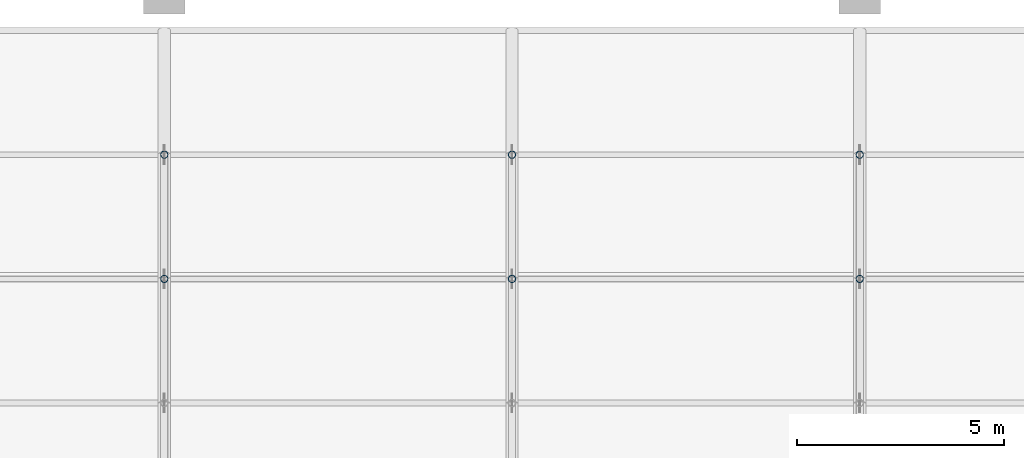
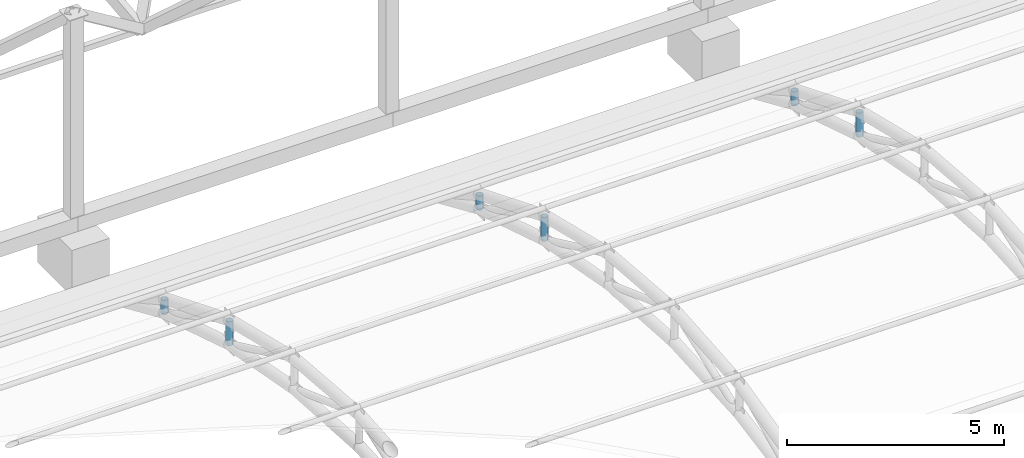
# One storey, part 70 of 163: 6 members.
"""IFC4 building model written with IfcOpenShell, lengths in metres."""

from ifc_helpers import new_model, si_unit, direction, frame, origin, origin_2d, place, context, subcontext, project, spatial, hollow_circle, extrude, material, material_profile, profile_set, type_object, element, save


model = new_model("IFC4")

# Units and contexts
model_context = context("Model", 3, precision=1e-05, world=origin(), true_north=direction((0.0, 1.0)))
body_context = subcontext(model_context, "Body", "Model", "MODEL_VIEW")
ifc_project = project(units=[si_unit("LENGTHUNIT", "METRE"), si_unit("AREAUNIT", "SQUARE_METRE"), si_unit("VOLUMEUNIT", "CUBIC_METRE"), si_unit("PLANEANGLEUNIT", "RADIAN"), si_unit("MASSUNIT", "GRAM", prefix="KILO")], contexts=[model_context])

# Site, building, storey
site_placement = place(None, origin())
site = spatial("IfcSite", under=ifc_project, at=site_placement, CompositionType="ELEMENT")
building_placement = place(site_placement, origin())
building = spatial("IfcBuilding", under=site, at=building_placement, Name="Rain Tree Exposition and Congress Centre", CompositionType="ELEMENT")
storey_placement = place(building_placement, frame((0.0, 0.0, 10.5)))
storey = spatial("IfcBuildingStorey", under=building, at=storey_placement, Name="L02", CompositionType="ELEMENT", Elevation=10.5)

# Members
ifc_material = material(Name="Steel S355J2H", Category="steel")
ifc_material_profile = material_profile(ifc_material, hollow_circle(Radius=0.090087890625, WallThickness=0.008056640625, at=origin_2d()), Name="CHS 180x8")
ifc_profile_set = profile_set([ifc_material_profile], Name="Steel S355J2H")
member_type = type_object("IfcMemberType", Name="Steel post member CHS 180x8", PredefinedType="POST", material=ifc_profile_set)
member_1_placement = place(storey_placement, frame((25.199951171875, 93.60009765625, 2.3798828125), z_axis=(0.0, 0.0, 1.0), x_axis=(1.0, 0.0, 0.0)))
element("IfcMember", 1, at=member_1_placement, inside=storey, type_object=member_type, Name="Roof truss 4 post 6", PredefinedType="POST", context=body_context, shape_type="SweptSolid", body=[
    extrude(hollow_circle(Radius=0.090087890625, WallThickness=0.008056640625, at=origin_2d()), origin(), (0.0, 0.0, 1.0), 0.675048828125),
])
member_2_placement = place(storey_placement, frame((25.199951171875, 96.60009765625, 1.4423828125), z_axis=(0.0, 0.0, 1.0), x_axis=(1.0, 0.0, 0.0)))
element("IfcMember", 2, at=member_2_placement, inside=storey, type_object=member_type, Name="Roof truss 4 post 7", PredefinedType="POST", context=body_context, shape_type="SweptSolid", body=[
    extrude(hollow_circle(Radius=0.090087890625, WallThickness=0.008056640625, at=origin_2d()), origin(), (0.0, 0.0, 1.0), 0.393798828125),
])
member_3_placement = place(storey_placement, frame((33.60009765625, 93.60009765625, 2.3798828125), z_axis=(0.0, 0.0, 1.0), x_axis=(1.0, 0.0, 0.0)))
element("IfcMember", 3, at=member_3_placement, inside=storey, type_object=member_type, Name="Roof truss 5 post 6", PredefinedType="POST", context=body_context, shape_type="SweptSolid", body=[
    extrude(hollow_circle(Radius=0.090087890625, WallThickness=0.008056640625, at=origin_2d()), origin(), (0.0, 0.0, 1.0), 0.675048828125),
])
member_4_placement = place(storey_placement, frame((33.60009765625, 96.60009765625, 1.4423828125), z_axis=(0.0, 0.0, 1.0), x_axis=(1.0, 0.0, 0.0)))
element("IfcMember", 4, at=member_4_placement, inside=storey, type_object=member_type, Name="Roof truss 5 post 7", PredefinedType="POST", context=body_context, shape_type="SweptSolid", body=[
    extrude(hollow_circle(Radius=0.090087890625, WallThickness=0.008056640625, at=origin_2d()), origin(), (0.0, 0.0, 1.0), 0.393798828125),
])
member_5_placement = place(storey_placement, frame((42.0, 93.60009765625, 2.3798828125), z_axis=(0.0, 0.0, 1.0), x_axis=(1.0, 0.0, 0.0)))
element("IfcMember", 5, at=member_5_placement, inside=storey, type_object=member_type, Name="Roof truss 6 post 6", PredefinedType="POST", context=body_context, shape_type="SweptSolid", body=[
    extrude(hollow_circle(Radius=0.090087890625, WallThickness=0.008056640625, at=origin_2d()), origin(), (0.0, 0.0, 1.0), 0.675048828125),
])
member_6_placement = place(storey_placement, frame((42.0, 96.60009765625, 1.4423828125), z_axis=(0.0, 0.0, 1.0), x_axis=(1.0, 0.0, 0.0)))
element("IfcMember", 6, at=member_6_placement, inside=storey, type_object=member_type, Name="Roof truss 6 post 7", PredefinedType="POST", context=body_context, shape_type="SweptSolid", body=[
    extrude(hollow_circle(Radius=0.090087890625, WallThickness=0.008056640625, at=origin_2d()), origin(), (0.0, 0.0, 1.0), 0.393798828125),
])

save(model, "model.ifc")
